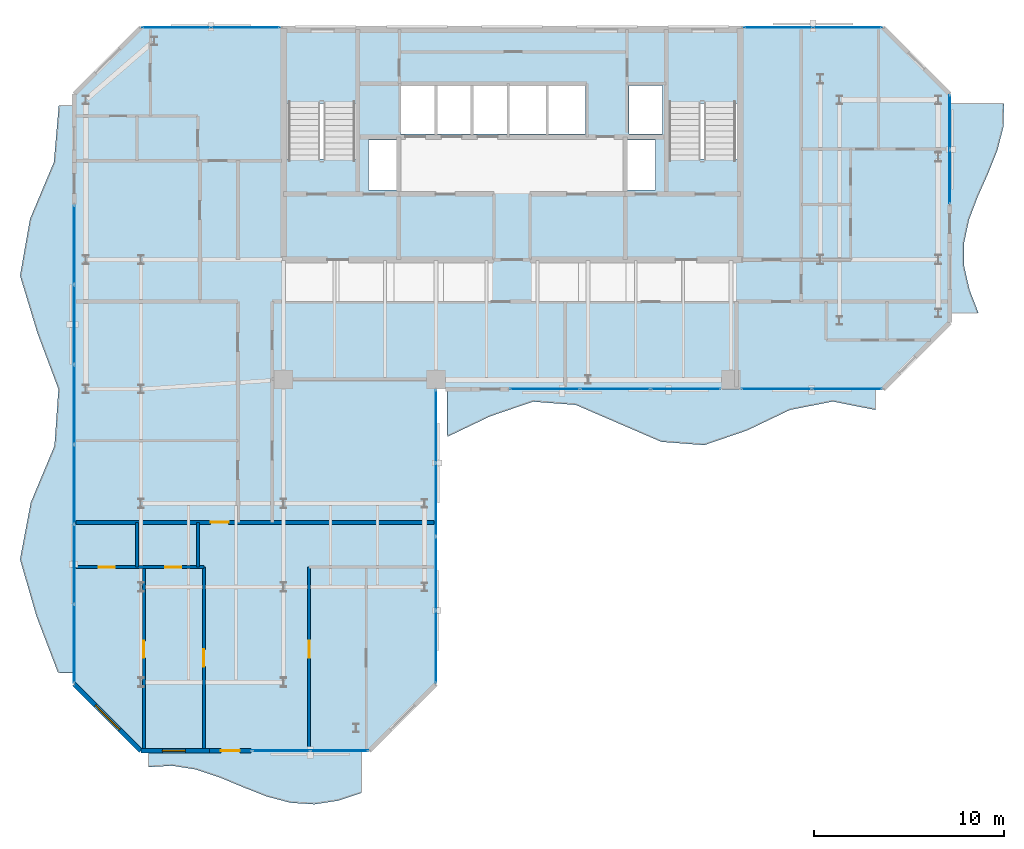
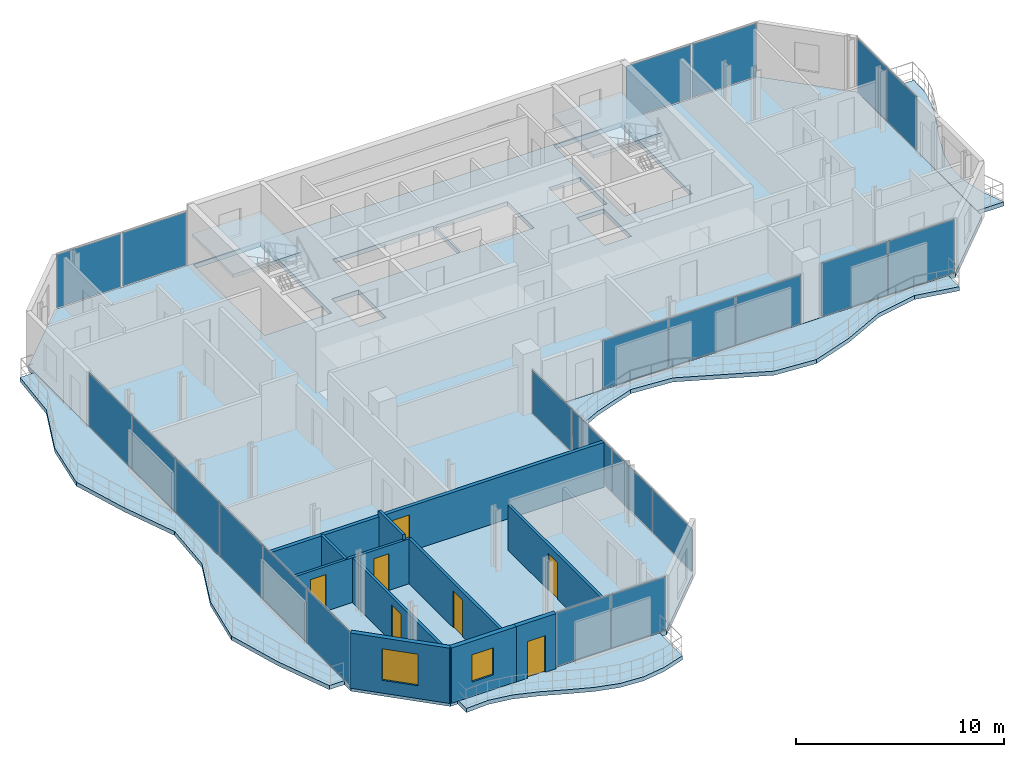
# One storey, part 17 of 23: 23 plates, 10 walls, 7 doors, 7 slabs, 2 windows, 9 openings, 10 elements without a shape of their own.
"""IFC4 building model written with IfcOpenShell, lengths in metres."""

from ifc_helpers import new_model, si_unit, direction, frame, frame_2d, origin, origin_2d, place, context, subcontext, project, spatial, polyline, rectangle, outline, extrude, material, layer, layer_set, type_object, element, fill, aggregate, save


model = new_model("IFC4")

# Units and contexts
model_context = context("Model", 3, precision=1e-05, world=origin(), true_north=direction((0.0, 1.0)))
body_context = subcontext(model_context, "Body", "Model", "MODEL_VIEW")
ifc_project = project(units=[si_unit("LENGTHUNIT", "METRE"), si_unit("AREAUNIT", "SQUARE_METRE"), si_unit("VOLUMEUNIT", "CUBIC_METRE"), si_unit("PLANEANGLEUNIT", "RADIAN"), si_unit("MASSUNIT", "GRAM", prefix="KILO")], contexts=[model_context])

# Site, building, storey
site_placement = place(None, origin())
site = spatial("IfcSite", under=ifc_project, at=site_placement, CompositionType="ELEMENT")
building_placement = place(site_placement, origin())
building = spatial("IfcBuilding", under=site, at=building_placement, Name="Catumbela Crestline Tower", CompositionType="ELEMENT")
storey_placement = place(building_placement, frame((0.0, 0.0, 204.6)))
storey = spatial("IfcBuildingStorey", under=building, at=storey_placement, Name="L53", CompositionType="ELEMENT", Elevation=204.6)

# Curtain wall, plates
ifc_material_1 = material(Name="Aluminium alloy AW-6060-T66", Category="aluminium")
ifc_layer_1 = layer(ifc_material_1, 0.18, Name="Aluminium alloy AW-6060-T66")
ifc_layer_set_1 = layer_set([ifc_layer_1], Name="Aluminium alloy AW-6060-T66")
curtain_wall_type = type_object("IfcCurtainWallType", Name="CWU-Z3", PredefinedType="USERDEFINED", material=ifc_layer_set_1)
curtain_wall_1_placement = place(storey_placement, origin())
curtain_wall_1 = element("IfcCurtainWall", 1, at=curtain_wall_1_placement, inside=storey, type_object=curtain_wall_type, Name="L53 Unitised Curtain Wall CW-L53-E0S2", ObjectType="UNITISED", PredefinedType="USERDEFINED")
ifc_material_2 = material(Name="Low-E laminated solar-control double glazing", Category="glass")
ifc_layer_2 = layer(ifc_material_2, 0.036, Name="Low-E laminated solar-control double glazing")
ifc_layer_set_2 = layer_set([ifc_layer_2], Name="Low-E laminated solar-control double glazing")
plate_type = type_object("IfcPlateType", Name="PNL-GLZ-Z3", PredefinedType="CURTAIN_PANEL", material=ifc_layer_set_2)
plate_1_placement = place(storey_placement, frame((15.8662, 5.0, 0.06), z_axis=(0.0, 0.0, 1.0), x_axis=(1.0, 0.0, 0.0)))
plate_1 = element("IfcPlate", 2, at=plate_1_placement, type_object=plate_type, Name="CWU-Z3 panel 1.1", PredefinedType="CURTAIN_PANEL", context=body_context, shape_type="SweptSolid", body=[
    extrude(rectangle(XDim=3.0025, YDim=0.034, at=origin_2d()), origin(), (0.0, 0.0, 1.0), 3.12),
])
plate_2_placement = place(storey_placement, frame((18.9338, 5.0, 0.06), z_axis=(0.0, 0.0, 1.0), x_axis=(1.0, 0.0, 0.0)))
plate_2 = element("IfcPlate", 3, at=plate_2_placement, type_object=plate_type, Name="CWU-Z3 panel 2.1", PredefinedType="CURTAIN_PANEL", context=body_context, shape_type="SweptSolid", body=[
    extrude(rectangle(XDim=3.0025, YDim=0.034, at=origin_2d()), origin(), (0.0, 0.0, 1.0), 3.12),
])
aggregate(curtain_wall_1, [plate_1, plate_2])

curtain_wall_2_placement = place(storey_placement, origin())
curtain_wall_2 = element("IfcCurtainWall", 4, at=curtain_wall_2_placement, inside=storey, type_object=curtain_wall_type, Name="L53 Unitised Curtain Wall CW-L53-E2S1", ObjectType="UNITISED", PredefinedType="USERDEFINED")
plate_3_placement = place(storey_placement, frame((24.0, 10.4538, 0.06), z_axis=(0.0, 0.0, 1.0), x_axis=(0.0, 1.0, 0.0)))
plate_3 = element("IfcPlate", 5, at=plate_3_placement, type_object=plate_type, Name="CWU-Z3 panel 1.1", PredefinedType="CURTAIN_PANEL", context=body_context, shape_type="SweptSolid", body=[
    extrude(rectangle(XDim=3.7775, YDim=0.034, at=origin_2d()), origin(), (0.0, 0.0, 1.0), 2.51),
])
plate_4_placement = place(storey_placement, frame((24.0, 14.3125, 0.06), z_axis=(0.0, 0.0, 1.0), x_axis=(0.0, 1.0, 0.0)))
plate_4 = element("IfcPlate", 6, at=plate_4_placement, type_object=plate_type, Name="CWU-Z3 panel 2.1", PredefinedType="CURTAIN_PANEL", context=body_context, shape_type="SweptSolid", body=[
    extrude(rectangle(XDim=3.81, YDim=0.034, at=origin_2d()), origin(), (0.0, 0.0, 1.0), 2.51),
])
plate_5_placement = place(storey_placement, frame((24.0, 18.1875, 0.06), z_axis=(0.0, 0.0, 1.0), x_axis=(0.0, 1.0, 0.0)))
plate_5 = element("IfcPlate", 7, at=plate_5_placement, type_object=plate_type, Name="CWU-Z3 panel 3.1", PredefinedType="CURTAIN_PANEL", context=body_context, shape_type="SweptSolid", body=[
    extrude(rectangle(XDim=3.81, YDim=0.034, at=origin_2d()), origin(), (0.0, 0.0, 1.0), 2.51),
])
plate_6_placement = place(storey_placement, frame((24.0, 22.0462, 0.06), z_axis=(0.0, 0.0, 1.0), x_axis=(0.0, 1.0, 0.0)))
plate_6 = element("IfcPlate", 8, at=plate_6_placement, type_object=plate_type, Name="CWU-Z3 panel 4.1", PredefinedType="CURTAIN_PANEL", context=body_context, shape_type="SweptSolid", body=[
    extrude(rectangle(XDim=3.7775, YDim=0.034, at=origin_2d()), origin(), (0.0, 0.0, 1.0), 2.51),
])
aggregate(curtain_wall_2, [plate_3, plate_4, plate_5, plate_6])

curtain_wall_3_placement = place(storey_placement, origin())
curtain_wall_3 = element("IfcCurtainWall", 9, at=curtain_wall_3_placement, inside=storey, type_object=curtain_wall_type, Name="L53 Unitised Curtain Wall CW-L53-E3S2", ObjectType="UNITISED", PredefinedType="USERDEFINED")
plate_7_placement = place(storey_placement, frame((29.7246, 24.0, 0.06), z_axis=(0.0, 0.0, 1.0), x_axis=(1.0, 0.0, 0.0)))
plate_7 = element("IfcPlate", 10, at=plate_7_placement, type_object=plate_type, Name="CWU-Z3 panel 1.1", PredefinedType="CURTAIN_PANEL", context=body_context, shape_type="SweptSolid", body=[
    extrude(rectangle(XDim=3.6192, YDim=0.034, at=origin_2d()), origin(), (0.0, 0.0, 1.0), 2.83),
])
plate_8_placement = place(storey_placement, frame((33.425, 24.0, 0.06), z_axis=(0.0, 0.0, 1.0), x_axis=(1.0, 0.0, 0.0)))
plate_8 = element("IfcPlate", 11, at=plate_8_placement, type_object=plate_type, Name="CWU-Z3 panel 2.1", PredefinedType="CURTAIN_PANEL", context=body_context, shape_type="SweptSolid", body=[
    extrude(rectangle(XDim=3.6517, YDim=0.034, at=origin_2d()), origin(), (0.0, 0.0, 1.0), 2.83),
])
plate_9_placement = place(storey_placement, frame((37.1254, 24.0, 0.06), z_axis=(0.0, 0.0, 1.0), x_axis=(1.0, 0.0, 0.0)))
plate_9 = element("IfcPlate", 12, at=plate_9_placement, type_object=plate_type, Name="CWU-Z3 panel 3.1", PredefinedType="CURTAIN_PANEL", context=body_context, shape_type="SweptSolid", body=[
    extrude(rectangle(XDim=3.6192, YDim=0.034, at=origin_2d()), origin(), (0.0, 0.0, 1.0), 2.83),
])
aggregate(curtain_wall_3, [plate_7, plate_8, plate_9])

curtain_wall_4_placement = place(storey_placement, origin())
curtain_wall_4 = element("IfcCurtainWall", 13, at=curtain_wall_4_placement, inside=storey, type_object=curtain_wall_type, Name="L53 Unitised Curtain Wall CW-L53-E3S3", ObjectType="UNITISED", PredefinedType="USERDEFINED")
plate_10_placement = place(storey_placement, frame((41.8912, 24.0, 0.06), z_axis=(0.0, 0.0, 1.0), x_axis=(1.0, 0.0, 0.0)))
plate_10 = element("IfcPlate", 14, at=plate_10_placement, type_object=plate_type, Name="CWU-Z3 panel 1.1", PredefinedType="CURTAIN_PANEL", context=body_context, shape_type="SweptSolid", body=[
    extrude(rectangle(XDim=3.6525, YDim=0.034, at=origin_2d()), origin(), (0.0, 0.0, 1.0), 3.12),
])
plate_11_placement = place(storey_placement, frame((45.6088, 24.0, 0.06), z_axis=(0.0, 0.0, 1.0), x_axis=(1.0, 0.0, 0.0)))
plate_11 = element("IfcPlate", 15, at=plate_11_placement, type_object=plate_type, Name="CWU-Z3 panel 2.1", PredefinedType="CURTAIN_PANEL", context=body_context, shape_type="SweptSolid", body=[
    extrude(rectangle(XDim=3.6525, YDim=0.034, at=origin_2d()), origin(), (0.0, 0.0, 1.0), 3.12),
])
aggregate(curtain_wall_4, [plate_10, plate_11])

curtain_wall_5_placement = place(storey_placement, origin())
curtain_wall_5 = element("IfcCurtainWall", 16, at=curtain_wall_5_placement, inside=storey, type_object=curtain_wall_type, Name="L53 Unitised Curtain Wall CW-L53-E5S2", ObjectType="UNITISED", PredefinedType="USERDEFINED")
plate_12_placement = place(storey_placement, frame((51.0, 35.1662, 0.06), z_axis=(0.0, 0.0, 1.0), x_axis=(0.0, 1.0, 0.0)))
plate_12 = element("IfcPlate", 17, at=plate_12_placement, type_object=plate_type, Name="CWU-Z3 panel 1.1", PredefinedType="CURTAIN_PANEL", context=body_context, shape_type="SweptSolid", body=[
    extrude(rectangle(XDim=2.8025, YDim=0.034, at=origin_2d()), origin(), (0.0, 0.0, 1.0), 3.12),
])
plate_13_placement = place(storey_placement, frame((51.0, 38.0338, 0.06), z_axis=(0.0, 0.0, 1.0), x_axis=(0.0, 1.0, 0.0)))
plate_13 = element("IfcPlate", 18, at=plate_13_placement, type_object=plate_type, Name="CWU-Z3 panel 2.1", PredefinedType="CURTAIN_PANEL", context=body_context, shape_type="SweptSolid", body=[
    extrude(rectangle(XDim=2.8025, YDim=0.034, at=origin_2d()), origin(), (0.0, 0.0, 1.0), 3.12),
])
aggregate(curtain_wall_5, [plate_12, plate_13])

curtain_wall_6_placement = place(storey_placement, origin())
curtain_wall_6 = element("IfcCurtainWall", 19, at=curtain_wall_6_placement, inside=storey, type_object=curtain_wall_type, Name="L53 Unitised Curtain Wall CW-L53-E7S1", ObjectType="UNITISED", PredefinedType="USERDEFINED")
plate_14_placement = place(storey_placement, frame((45.6438, 43.0, 0.06), z_axis=(0.0, 0.0, 1.0), x_axis=(-1.0, 0.0, 0.0)))
plate_14 = element("IfcPlate", 20, at=plate_14_placement, type_object=plate_type, Name="CWU-Z3 panel 1.1", PredefinedType="CURTAIN_PANEL", context=body_context, shape_type="SweptSolid", body=[
    extrude(rectangle(XDim=3.5825, YDim=0.034, at=origin_2d()), origin(), (0.0, 0.0, 1.0), 3.12),
])
plate_15_placement = place(storey_placement, frame((41.9963, 43.0, 0.06), z_axis=(0.0, 0.0, 1.0), x_axis=(-1.0, 0.0, 0.0)))
plate_15 = element("IfcPlate", 21, at=plate_15_placement, type_object=plate_type, Name="CWU-Z3 panel 2.1", PredefinedType="CURTAIN_PANEL", context=body_context, shape_type="SweptSolid", body=[
    extrude(rectangle(XDim=3.5825, YDim=0.034, at=origin_2d()), origin(), (0.0, 0.0, 1.0), 3.12),
])
aggregate(curtain_wall_6, [plate_14, plate_15])

curtain_wall_7_placement = place(storey_placement, origin())
curtain_wall_7 = element("IfcCurtainWall", 22, at=curtain_wall_7_placement, inside=storey, type_object=curtain_wall_type, Name="L53 Unitised Curtain Wall CW-L53-E7S2", ObjectType="UNITISED", PredefinedType="USERDEFINED")
plate_16_placement = place(storey_placement, frame((14.0038, 43.0, 0.06), z_axis=(0.0, 0.0, 1.0), x_axis=(-1.0, 0.0, 0.0)))
plate_16 = element("IfcPlate", 23, at=plate_16_placement, type_object=plate_type, Name="CWU-Z3 panel 1.1", PredefinedType="CURTAIN_PANEL", context=body_context, shape_type="SweptSolid", body=[
    extrude(rectangle(XDim=3.5825, YDim=0.034, at=origin_2d()), origin(), (0.0, 0.0, 1.0), 3.12),
])
plate_17_placement = place(storey_placement, frame((10.3562, 43.0, 0.06), z_axis=(0.0, 0.0, 1.0), x_axis=(-1.0, 0.0, 0.0)))
plate_17 = element("IfcPlate", 24, at=plate_17_placement, type_object=plate_type, Name="CWU-Z3 panel 2.1", PredefinedType="CURTAIN_PANEL", context=body_context, shape_type="SweptSolid", body=[
    extrude(rectangle(XDim=3.5825, YDim=0.034, at=origin_2d()), origin(), (0.0, 0.0, 1.0), 3.12),
])
aggregate(curtain_wall_7, [plate_16, plate_17])

curtain_wall_8_placement = place(storey_placement, origin())
curtain_wall_8 = element("IfcCurtainWall", 25, at=curtain_wall_8_placement, inside=storey, type_object=curtain_wall_type, Name="L53 Unitised Curtain Wall CW-L53-E9S2", ObjectType="UNITISED", PredefinedType="USERDEFINED")
plate_18_placement = place(storey_placement, frame((5.0, 31.5838, 0.06), z_axis=(0.0, 0.0, 1.0), x_axis=(0.0, -1.0, 0.0)))
plate_18 = element("IfcPlate", 26, at=plate_18_placement, type_object=plate_type, Name="CWU-Z3 panel 1.1", PredefinedType="CURTAIN_PANEL", context=body_context, shape_type="SweptSolid", body=[
    extrude(rectangle(XDim=4.1025, YDim=0.034, at=origin_2d()), origin(), (0.0, 0.0, 1.0), 3.12),
])
plate_19_placement = place(storey_placement, frame((5.0, 27.4, 0.06), z_axis=(0.0, 0.0, 1.0), x_axis=(0.0, -1.0, 0.0)))
plate_19 = element("IfcPlate", 27, at=plate_19_placement, type_object=plate_type, Name="CWU-Z3 panel 2.1", PredefinedType="CURTAIN_PANEL", context=body_context, shape_type="SweptSolid", body=[
    extrude(rectangle(XDim=4.135, YDim=0.034, at=origin_2d()), origin(), (0.0, 0.0, 1.0), 3.12),
])
plate_20_placement = place(storey_placement, frame((5.0, 23.2, 0.06), z_axis=(0.0, 0.0, 1.0), x_axis=(0.0, -1.0, 0.0)))
plate_20 = element("IfcPlate", 28, at=plate_20_placement, type_object=plate_type, Name="CWU-Z3 panel 3.1", PredefinedType="CURTAIN_PANEL", context=body_context, shape_type="SweptSolid", body=[
    extrude(rectangle(XDim=4.135, YDim=0.034, at=origin_2d()), origin(), (0.0, 0.0, 1.0), 3.12),
])
plate_21_placement = place(storey_placement, frame((5.0, 19.0, 0.06), z_axis=(0.0, 0.0, 1.0), x_axis=(0.0, -1.0, 0.0)))
plate_21 = element("IfcPlate", 29, at=plate_21_placement, type_object=plate_type, Name="CWU-Z3 panel 4.1", PredefinedType="CURTAIN_PANEL", context=body_context, shape_type="SweptSolid", body=[
    extrude(rectangle(XDim=4.135, YDim=0.034, at=origin_2d()), origin(), (0.0, 0.0, 1.0), 3.12),
])
plate_22_placement = place(storey_placement, frame((5.0, 14.8, 0.06), z_axis=(0.0, 0.0, 1.0), x_axis=(0.0, -1.0, 0.0)))
plate_22 = element("IfcPlate", 30, at=plate_22_placement, type_object=plate_type, Name="CWU-Z3 panel 5.1", PredefinedType="CURTAIN_PANEL", context=body_context, shape_type="SweptSolid", body=[
    extrude(rectangle(XDim=4.135, YDim=0.034, at=origin_2d()), origin(), (0.0, 0.0, 1.0), 3.12),
])
plate_23_placement = place(storey_placement, frame((5.0, 10.6163, 0.06), z_axis=(0.0, 0.0, 1.0), x_axis=(0.0, -1.0, 0.0)))
plate_23 = element("IfcPlate", 31, at=plate_23_placement, type_object=plate_type, Name="CWU-Z3 panel 6.1", PredefinedType="CURTAIN_PANEL", context=body_context, shape_type="SweptSolid", body=[
    extrude(rectangle(XDim=4.1025, YDim=0.034, at=origin_2d()), origin(), (0.0, 0.0, 1.0), 3.12),
])
aggregate(curtain_wall_8, [plate_18, plate_19, plate_20, plate_21, plate_22, plate_23])

# Stair, slab
ifc_material_3 = material(Name="Concrete C45/55", Category="concrete")
stair_type = type_object("IfcStairType", Name="ST-DLG", PredefinedType="HALF_TURN_STAIR", material=ifc_material_3)
stair_1_placement = place(storey_placement, origin())
stair_1 = element("IfcStair", 32, at=stair_1_placement, inside=storey, type_object=stair_type, Name="L53 West Core Pressurised Exit Stair ST-01", PredefinedType="HALF_TURN_STAIR")
ifc_layer_3 = layer(ifc_material_3, 0.2, Name="Concrete C45/55")
ifc_layer_set_3 = layer_set([ifc_layer_3], Name="Concrete C45/55")
slab_type_1 = type_object("IfcSlabType", Name="SL-LND", PredefinedType="LANDING", material=ifc_layer_set_3)
slab_1_placement = place(storey_placement, frame((0.0, 0.0, 1.6)))
slab_1 = element("IfcSlab", 33, at=slab_1_placement, type_object=slab_type_1, Name="ST-01 landing 1", PredefinedType="LANDING", context=body_context, shape_type="SweptSolid", body=[
    extrude(outline(polyline([(19.91, 39.02), (19.91, 42.96), (16.09, 42.96), (16.09, 39.02), (19.91, 39.02)])), origin(), (0.0, 0.0, 1.0), 0.2),
])
aggregate(stair_1, [slab_1])

stair_2_placement = place(storey_placement, origin())
stair_2 = element("IfcStair", 34, at=stair_2_placement, inside=storey, type_object=stair_type, Name="L53 East Core Pressurised Exit Stair ST-02", PredefinedType="HALF_TURN_STAIR")
slab_2_placement = place(storey_placement, frame((0.0, 0.0, 1.6)))
slab_2 = element("IfcSlab", 35, at=slab_2_placement, type_object=slab_type_1, Name="ST-02 landing 1", PredefinedType="LANDING", context=body_context, shape_type="SweptSolid", body=[
    extrude(outline(polyline([(39.91, 39.02), (39.91, 42.96), (36.09, 42.96), (36.09, 39.02), (39.91, 39.02)])), origin(), (0.0, 0.0, 1.0), 0.2),
])
aggregate(stair_2, [slab_2])

# Slabs
ifc_layer_4 = layer(ifc_material_3, 0.26, Name="Concrete C45/55")
ifc_layer_set_4 = layer_set([ifc_layer_4], Name="Concrete C45/55")
slab_type_2 = type_object("IfcSlabType", Name="SL-260", PredefinedType="FLOOR", material=ifc_layer_set_4)
slab_3_placement = place(storey_placement, frame((0.0, 0.0, -0.26)))
element("IfcSlab", 36, at=slab_3_placement, inside=storey, type_object=slab_type_2, Name="L53 Structural Floor Slab", PredefinedType="FLOOR", context=body_context, shape_type="SweptSolid", body=[
    extrude(outline(polyline([(8.5, 5.0), (20.5, 5.0), (24.0, 8.5), (24.0, 24.0), (47.5, 24.0), (51.0, 27.5), (51.0, 39.5), (47.5, 43.0), (8.5, 43.0), (5.0, 39.5), (5.0, 8.5), (8.5, 5.0)]), holes=[polyline([(16.13, 36.08), (19.87, 36.08), (19.87, 42.92), (16.13, 42.92), (16.13, 36.08)]), polyline([(36.13, 36.08), (39.87, 36.08), (39.87, 42.92), (36.13, 42.92), (36.13, 36.08)]), polyline([(22.15, 37.4), (27.75, 37.4), (27.75, 39.95), (22.15, 39.95), (22.15, 37.4)]), polyline([(27.85, 37.4), (31.85, 37.4), (31.85, 39.95), (27.85, 39.95), (27.85, 37.4)]), polyline([(20.45, 34.45), (21.95, 34.45), (21.95, 37.1), (20.45, 37.1), (20.45, 34.45)]), polyline([(34.05, 34.45), (35.55, 34.45), (35.55, 37.1), (34.05, 37.1), (34.05, 34.45)]), polyline([(34.15, 37.4), (35.9, 37.4), (35.9, 39.95), (34.15, 39.95), (34.15, 37.4)])]), origin(), (0.0, 0.0, 1.0), 0.26),
])
ifc_layer_5 = layer(ifc_material_3, 0.24, Name="Concrete C45/55")
ifc_layer_set_5 = layer_set([ifc_layer_5], Name="Concrete C45/55")
slab_type_3 = type_object("IfcSlabType", Name="SB-240W", PredefinedType="USERDEFINED", material=ifc_layer_set_5)
slab_4_placement = place(storey_placement, frame((0.0, 0.0, -0.24)))
element("IfcSlab", 37, at=slab_4_placement, inside=storey, type_object=slab_type_3, Name="L53 Cantilevered Wave Balcony Slab SPINE-S", ObjectType="BALCONY", PredefinedType="USERDEFINED", context=body_context, shape_type="SweptSolid", body=[
    extrude(outline(polyline([(24.6, 21.4947), (26.85, 22.5708), (29.1, 23.3413), (31.35, 23.1708), (33.6, 22.2), (35.85, 21.2292), (38.1, 21.0587), (40.35, 21.8292), (42.6, 22.9053), (44.85, 23.35), (47.1, 22.9053), (47.1, 23.99), (24.6, 23.99), (24.6, 21.4947)])), origin(), (0.0, 0.0, 1.0), 0.24),
])
slab_5_placement = place(storey_placement, frame((0.0, 0.0, -0.24)))
element("IfcSlab", 38, at=slab_5_placement, inside=storey, type_object=slab_type_3, Name="L53 Cantilevered Wave Balcony Slab SPINE-E", ObjectType="BALCONY", PredefinedType="USERDEFINED", context=body_context, shape_type="SweptSolid", body=[
    extrude(outline(polyline([(51.01, 28.0), (52.5102, 28.0), (52.0377, 29.2222), (51.7606, 30.4444), (51.7501, 31.6667), (52.0088, 32.8889), (52.4704, 34.1111), (53.0165, 35.3333), (53.5071, 36.5556), (53.8164, 37.7778), (53.85, 39.0), (51.01, 39.0), (51.01, 28.0)])), origin(), (0.0, 0.0, 1.0), 0.24),
])
slab_6_placement = place(storey_placement, frame((0.0, 0.0, -0.24)))
element("IfcSlab", 39, at=slab_6_placement, inside=storey, type_object=slab_type_3, Name="L53 Cantilevered Wave Balcony Slab WING-S", ObjectType="BALCONY", PredefinedType="USERDEFINED", context=body_context, shape_type="SweptSolid", body=[
    extrude(outline(polyline([(8.9, 4.1398), (10.1444, 4.2124), (11.3889, 4.016), (12.6333, 3.6029), (13.8778, 3.0828), (15.1222, 2.5938), (16.3667, 2.2658), (17.6111, 2.186), (18.8556, 2.3755), (20.1, 2.784), (20.1, 4.99), (8.9, 4.99), (8.9, 4.1398)])), origin(), (0.0, 0.0, 1.0), 0.24),
])
slab_7_placement = place(storey_placement, frame((0.0, 0.0, -0.24)))
element("IfcSlab", 40, at=slab_7_placement, inside=storey, type_object=slab_type_3, Name="L53 Cantilevered Wave Balcony Slab WEST", ObjectType="BALCONY", PredefinedType="USERDEFINED", context=body_context, shape_type="SweptSolid", body=[
    extrude(outline(polyline([(4.99, 38.9), (4.1874, 38.9), (3.9279, 35.92), (2.6741, 32.94), (2.15, 29.96), (3.0531, 26.98), (4.1682, 24.0), (3.9607, 21.02), (2.714, 18.04), (2.15, 15.06), (3.0084, 12.08), (4.1473, 9.1), (4.99, 9.1), (4.99, 38.9)])), origin(), (0.0, 0.0, 1.0), 0.24),
])

# Wall, opening, door
ifc_material_4 = material(Name="Angolan grey-ochre granite", Category="masonry")
ifc_layer_6 = layer(ifc_material_4, 0.25, Name="Angolan grey-ochre granite")
ifc_layer_set_6 = layer_set([ifc_layer_6], Name="Angolan grey-ochre granite")
wall_type_1 = type_object("IfcWallType", Name="WE-250", PredefinedType="STANDARD", material=ifc_layer_set_6)
wall_1_placement = place(storey_placement, frame((12.1, 5.0, 0.0), z_axis=(0.0, 0.0, 1.0), x_axis=(1.0, 0.0, 0.0)))
wall_1 = element("IfcWall", 41, at=wall_1_placement, inside=storey, type_object=wall_type_1, Name="L53 Exterior Threshold Portal Wall DR-L53-WBAL-3", PredefinedType="STANDARD", context=body_context, shape_type="SweptSolid", body=[
    extrude(rectangle(XDim=2.2, YDim=0.25, at=frame_2d((1.1, 0.0))), origin(), (0.0, 0.0, 1.0), 3.24),
])
opening_1_placement = place(wall_1_placement, frame((0.6, 0.0, 0.0)))
opening_1 = element("IfcOpeningElement", 42, at=opening_1_placement, cuts=wall_1, Name="Opening DB-L53-3", PredefinedType="OPENING", context=body_context, shape_type="SweptSolid", body=[
    extrude(rectangle(XDim=1.0, YDim=2.15, at=frame_2d((0.5, 1.075))), frame((0.0, 0.135, 0.0), z_axis=(0.0, -1.0, 0.0), x_axis=(1.0, 0.0, 0.0)), (0.0, 0.0, 1.0), 0.27),
])
door_type_1 = type_object("IfcDoorType", Name="DB-1000", OperationType="NOTDEFINED", PredefinedType="DOOR", material=ifc_material_1)
door_1_placement = place(opening_1_placement, origin())
door_1 = element("IfcDoor", 43, at=door_1_placement, inside=storey, type_object=door_type_1, Name="L53 Wave Balcony Terrace Door 3", OperationType="SINGLE_SWING_LEFT", OverallHeight=2.15, OverallWidth=1.0, PredefinedType="DOOR", context=body_context, shape_type="SweptSolid", body=[
    extrude(rectangle(XDim=1.0, YDim=2.15, at=frame_2d((0.5, 1.075))), frame((0.0, 0.025, 0.0), z_axis=(0.0, -1.0, 0.0), x_axis=(1.0, 0.0, 0.0)), (0.0, 0.0, 1.0), 0.05),
])
fill(opening_1, door_1)

# Wall, opening, window
wall_2_placement = place(storey_placement, frame((8.5, 5.0, 0.0), z_axis=(0.0, 0.0, 1.0), x_axis=(1.0, 0.0, 0.0)))
wall_2 = element("IfcWall", 44, at=wall_2_placement, inside=storey, type_object=wall_type_1, Name="L53 Granite Punched Window Wall 0-1", PredefinedType="STANDARD", context=body_context, shape_type="SweptSolid", body=[
    extrude(rectangle(XDim=3.6, YDim=0.25, at=frame_2d((1.8, 0.0))), origin(), (0.0, 0.0, 1.0), 3.24),
])
opening_2_placement = place(wall_2_placement, frame((1.135, 0.0, 0.85)))
opening_2 = element("IfcOpeningElement", 45, at=opening_2_placement, cuts=wall_2, Name="Opening WN-02", PredefinedType="OPENING", context=body_context, shape_type="SweptSolid", body=[
    extrude(rectangle(XDim=1.2, YDim=1.6, at=frame_2d((0.6, 0.8))), frame((0.0, 0.135, 0.0), z_axis=(0.0, -1.0, 0.0), x_axis=(1.0, 0.0, 0.0)), (0.0, 0.0, 1.0), 0.27),
])
window_type_1 = type_object("IfcWindowType", Name="WO-1200", PartitioningType="SINGLE_PANEL", PredefinedType="WINDOW", material=ifc_material_2)
window_1_placement = place(opening_2_placement, origin())
window_1 = element("IfcWindow", 46, at=window_1_placement, inside=storey, type_object=window_type_1, Name="L53 Facade Vision Window 356", OverallHeight=1.6, OverallWidth=1.2, PartitioningType="SINGLE_PANEL", PredefinedType="WINDOW", context=body_context, shape_type="SweptSolid", body=[
    extrude(rectangle(XDim=1.2, YDim=1.6, at=frame_2d((0.6, 0.8))), frame((0.0, 0.03, 0.0), z_axis=(0.0, -1.0, 0.0), x_axis=(1.0, 0.0, 0.0)), (0.0, 0.0, 1.0), 0.06),
])
fill(opening_2, window_1)

wall_3_placement = place(storey_placement, frame((5.0, 8.5, 0.0), z_axis=(0.0, 0.0, 1.0), x_axis=(0.707106781187, -0.707106781187, 0.0)))
wall_3 = element("IfcWall", 47, at=wall_3_placement, inside=storey, type_object=wall_type_1, Name="L53 Granite Punched Window Wall 10-1", PredefinedType="STANDARD", context=body_context, shape_type="SweptSolid", body=[
    extrude(rectangle(XDim=4.9497, YDim=0.25, at=frame_2d((2.4748, 0.0))), origin(), (0.0, 0.0, 1.0), 3.24),
])
opening_3_placement = place(wall_3_placement, frame((1.5749, 0.0, 0.75)))
opening_3 = element("IfcOpeningElement", 48, at=opening_3_placement, cuts=wall_3, Name="Opening WN-01", PredefinedType="OPENING", context=body_context, shape_type="SweptSolid", body=[
    extrude(rectangle(XDim=1.8, YDim=1.85, at=frame_2d((0.9, 0.925))), frame((0.0, 0.135, 0.0), z_axis=(0.0, -1.0, 0.0), x_axis=(1.0, 0.0, 0.0)), (0.0, 0.0, 1.0), 0.27),
])
window_type_2 = type_object("IfcWindowType", Name="WF-1800", PartitioningType="SINGLE_PANEL", PredefinedType="WINDOW", material=ifc_material_2)
window_2_placement = place(opening_3_placement, origin())
window_2 = element("IfcWindow", 49, at=window_2_placement, inside=storey, type_object=window_type_2, Name="L53 Facade Vision Window 363", OverallHeight=1.85, OverallWidth=1.8, PartitioningType="SINGLE_PANEL", PredefinedType="WINDOW", context=body_context, shape_type="SweptSolid", body=[
    extrude(rectangle(XDim=1.8, YDim=1.85, at=frame_2d((0.9, 0.925))), frame((0.0, 0.03, 0.0), z_axis=(0.0, -1.0, 0.0), x_axis=(1.0, 0.0, 0.0)), (0.0, 0.0, 1.0), 0.06),
])
fill(opening_3, window_2)

# Walls
ifc_material_5 = material(Name="Acoustic gypsum and mineral-wool partition")
ifc_layer_7 = layer(ifc_material_5, 0.15, Name="Acoustic gypsum and mineral-wool partition")
ifc_layer_set_7 = layer_set([ifc_layer_7], Name="Acoustic gypsum and mineral-wool partition")
wall_type_2 = type_object("IfcWallType", Name="WP-150", PredefinedType="PARTITIONING", material=ifc_layer_set_7)
wall_4_placement = place(storey_placement, frame((11.5, 14.65, 0.0), z_axis=(0.0, 0.0, 1.0), x_axis=(0.0, 1.0, 0.0)))
element("IfcWall", 50, at=wall_4_placement, inside=storey, type_object=wall_type_2, Name="L53 Interior Partition PW-L53-SH1-KBE", PredefinedType="PARTITIONING", context=body_context, shape_type="SweptSolid", body=[
    extrude(rectangle(XDim=2.35, YDim=0.15, at=frame_2d((1.175, 0.0))), origin(), (0.0, 0.0, 1.0), 2.93),
])
wall_5_placement = place(storey_placement, frame((8.3, 14.65, 0.0), z_axis=(0.0, 0.0, 1.0), x_axis=(0.0, 1.0, 0.0)))
element("IfcWall", 51, at=wall_5_placement, inside=storey, type_object=wall_type_2, Name="L53 Interior Partition PW-L53-SH1-KBM", PredefinedType="PARTITIONING", context=body_context, shape_type="SweptSolid", body=[
    extrude(rectangle(XDim=2.35, YDim=0.15, at=frame_2d((1.175, 0.0))), origin(), (0.0, 0.0, 1.0), 2.63),
])

# Wall, openings, doors
wall_6_placement = place(storey_placement, frame((5.1, 14.65, 0.0), z_axis=(0.0, 0.0, 1.0), x_axis=(1.0, 0.0, 0.0)))
wall_6 = element("IfcWall", 52, at=wall_6_placement, inside=storey, type_object=wall_type_2, Name="L53 Interior Partition PW-L53-SH1-KBD1", PredefinedType="PARTITIONING", context=body_context, shape_type="SweptSolid", body=[
    extrude(rectangle(XDim=6.71, YDim=0.15, at=frame_2d((3.355, 0.0))), origin(), (0.0, 0.0, 1.0), 2.63),
])
opening_4_placement = place(wall_6_placement, frame((1.175, 0.0, 0.0)))
opening_4 = element("IfcOpeningElement", 53, at=opening_4_placement, cuts=wall_6, Name="Opening DI-085", PredefinedType="OPENING", context=body_context, shape_type="SweptSolid", body=[
    extrude(rectangle(XDim=0.85, YDim=2.15, at=frame_2d((0.425, 1.075))), frame((0.0, 0.085, 0.0), z_axis=(0.0, -1.0, 0.0), x_axis=(1.0, 0.0, 0.0)), (0.0, 0.0, 1.0), 0.17),
])
opening_5_placement = place(wall_6_placement, frame((4.6795, 0.0, 0.0)))
opening_5 = element("IfcOpeningElement", 54, at=opening_5_placement, cuts=wall_6, Name="Opening DI-085", PredefinedType="OPENING", context=body_context, shape_type="SweptSolid", body=[
    extrude(rectangle(XDim=0.85, YDim=2.15, at=frame_2d((0.425, 1.075))), frame((0.0, 0.085, 0.0), z_axis=(0.0, -1.0, 0.0), x_axis=(1.0, 0.0, 0.0)), (0.0, 0.0, 1.0), 0.17),
])
door_type_2 = type_object("IfcDoorType", Name="DI-085", OperationType="NOTDEFINED", PredefinedType="DOOR", material=ifc_material_1)
door_2_placement = place(opening_4_placement, origin())
door_2 = element("IfcDoor", 55, at=door_2_placement, inside=storey, type_object=door_type_2, Name="L53 Interior Door DR-L53-SH1-KIT", OperationType="SINGLE_SWING_LEFT", OverallHeight=2.15, OverallWidth=0.85, PredefinedType="DOOR", context=body_context, shape_type="SweptSolid", body=[
    extrude(rectangle(XDim=0.85, YDim=2.15, at=frame_2d((0.425, 1.075))), frame((0.0, 0.025, 0.0), z_axis=(0.0, -1.0, 0.0), x_axis=(1.0, 0.0, 0.0)), (0.0, 0.0, 1.0), 0.05),
])
fill(opening_4, door_2)
door_3_placement = place(opening_5_placement, origin())
door_3 = element("IfcDoor", 56, at=door_3_placement, inside=storey, type_object=door_type_2, Name="L53 Interior Door DR-L53-SH1-BTH", OperationType="SINGLE_SWING_RIGHT", OverallHeight=2.15, OverallWidth=0.85, PredefinedType="DOOR", context=body_context, shape_type="SweptSolid", body=[
    extrude(rectangle(XDim=0.85, YDim=2.15, at=frame_2d((0.425, 1.075))), frame((0.0, 0.025, 0.0), z_axis=(0.0, -1.0, 0.0), x_axis=(1.0, 0.0, 0.0)), (0.0, 0.0, 1.0), 0.05),
])
fill(opening_5, door_3)

# Wall, opening, door
wall_7_placement = place(storey_placement, frame((8.66, 5.1, 0.0), z_axis=(0.0, 0.0, 1.0), x_axis=(0.0, 1.0, 0.0)))
wall_7 = element("IfcWall", 57, at=wall_7_placement, inside=storey, type_object=wall_type_2, Name="L53 Interior Partition PW-L53-SH1-BDL", PredefinedType="PARTITIONING", context=body_context, shape_type="SweptSolid", body=[
    extrude(rectangle(XDim=9.55, YDim=0.15, at=frame_2d((4.775, 0.0))), origin(), (0.0, 0.0, 1.0), 2.63),
])
opening_6_placement = place(wall_7_placement, frame((4.7789, 0.0, 0.0)))
opening_6 = element("IfcOpeningElement", 58, at=opening_6_placement, cuts=wall_7, Name="Opening DI-090", PredefinedType="OPENING", context=body_context, shape_type="SweptSolid", body=[
    extrude(rectangle(XDim=0.9, YDim=2.15, at=frame_2d((0.45, 1.075))), frame((0.0, 0.085, 0.0), z_axis=(0.0, -1.0, 0.0), x_axis=(1.0, 0.0, 0.0)), (0.0, 0.0, 1.0), 0.17),
])
door_type_3 = type_object("IfcDoorType", Name="DI-090", OperationType="NOTDEFINED", PredefinedType="DOOR", material=ifc_material_1)
door_4_placement = place(opening_6_placement, origin())
door_4 = element("IfcDoor", 59, at=door_4_placement, inside=storey, type_object=door_type_3, Name="L53 Interior Door DR-L53-SH1-BD1", OperationType="SINGLE_SWING_LEFT", OverallHeight=2.15, OverallWidth=0.9, PredefinedType="DOOR", context=body_context, shape_type="SweptSolid", body=[
    extrude(rectangle(XDim=0.9, YDim=2.15, at=frame_2d((0.45, 1.075))), frame((0.0, 0.025, 0.0), z_axis=(0.0, -1.0, 0.0), x_axis=(1.0, 0.0, 0.0)), (0.0, 0.0, 1.0), 0.05),
])
fill(opening_6, door_4)

wall_8_placement = place(storey_placement, frame((17.34, 5.1, 0.0), z_axis=(0.0, 0.0, 1.0), x_axis=(0.0, 1.0, 0.0)))
wall_8 = element("IfcWall", 60, at=wall_8_placement, inside=storey, type_object=wall_type_2, Name="L53 Interior Partition PW-L53-SH1-STW", PredefinedType="PARTITIONING", context=body_context, shape_type="SweptSolid", body=[
    extrude(rectangle(XDim=9.55, YDim=0.15, at=frame_2d((4.775, 0.0))), origin(), (0.0, 0.0, 1.0), 2.63),
])
opening_7_placement = place(wall_8_placement, frame((4.7789, 0.0, 0.0)))
opening_7 = element("IfcOpeningElement", 61, at=opening_7_placement, cuts=wall_8, Name="Opening DI-090", PredefinedType="OPENING", context=body_context, shape_type="SweptSolid", body=[
    extrude(rectangle(XDim=0.9, YDim=2.15, at=frame_2d((0.45, 1.075))), frame((0.0, 0.085, 0.0), z_axis=(0.0, -1.0, 0.0), x_axis=(1.0, 0.0, 0.0)), (0.0, 0.0, 1.0), 0.17),
])
door_5_placement = place(opening_7_placement, origin())
door_5 = element("IfcDoor", 62, at=door_5_placement, inside=storey, type_object=door_type_3, Name="L53 Interior Door DR-L53-SH1-STDY", OperationType="SINGLE_SWING_RIGHT", OverallHeight=2.15, OverallWidth=0.9, PredefinedType="DOOR", context=body_context, shape_type="SweptSolid", body=[
    extrude(rectangle(XDim=0.9, YDim=2.15, at=frame_2d((0.45, 1.075))), frame((0.0, 0.025, 0.0), z_axis=(0.0, -1.0, 0.0), x_axis=(1.0, 0.0, 0.0)), (0.0, 0.0, 1.0), 0.05),
])
fill(opening_7, door_5)

wall_9_placement = place(storey_placement, frame((11.81, 5.1, 0.0), z_axis=(0.0, 0.0, 1.0), x_axis=(0.0, 1.0, 0.0)))
wall_9 = element("IfcWall", 63, at=wall_9_placement, inside=storey, type_object=wall_type_2, Name="L53 Interior Partition PW-L53-SH1-DNW", PredefinedType="PARTITIONING", context=body_context, shape_type="SweptSolid", body=[
    extrude(rectangle(XDim=9.55, YDim=0.15, at=frame_2d((4.775, 0.0))), origin(), (0.0, 0.0, 1.0), 2.63),
])
opening_8_placement = place(wall_9_placement, frame((4.325, 0.0, 0.0)))
opening_8 = element("IfcOpeningElement", 64, at=opening_8_placement, cuts=wall_9, Name="Opening DI-090", PredefinedType="OPENING", context=body_context, shape_type="SweptSolid", body=[
    extrude(rectangle(XDim=0.9, YDim=2.15, at=frame_2d((0.45, 1.075))), frame((0.0, 0.085, 0.0), z_axis=(0.0, -1.0, 0.0), x_axis=(1.0, 0.0, 0.0)), (0.0, 0.0, 1.0), 0.17),
])
door_6_placement = place(opening_8_placement, origin())
door_6 = element("IfcDoor", 65, at=door_6_placement, inside=storey, type_object=door_type_3, Name="L53 Interior Door DR-L53-SH1-FDIN", OperationType="SINGLE_SWING_LEFT", OverallHeight=2.15, OverallWidth=0.9, PredefinedType="DOOR", context=body_context, shape_type="SweptSolid", body=[
    extrude(rectangle(XDim=0.9, YDim=2.15, at=frame_2d((0.45, 1.075))), frame((0.0, 0.025, 0.0), z_axis=(0.0, -1.0, 0.0), x_axis=(1.0, 0.0, 0.0)), (0.0, 0.0, 1.0), 0.05),
])
fill(opening_8, door_6)

ifc_layer_8 = layer(ifc_material_5, 0.2, Name="Acoustic gypsum and mineral-wool partition")
ifc_layer_set_8 = layer_set([ifc_layer_8], Name="Acoustic gypsum and mineral-wool partition")
wall_type_3 = type_object("IfcWallType", Name="WY-200", PredefinedType="PARTITIONING", material=ifc_layer_set_8)
wall_10_placement = place(storey_placement, frame((5.1, 17.0, 0.0), z_axis=(0.0, 0.0, 1.0), x_axis=(1.0, 0.0, 0.0)))
wall_10 = element("IfcWall", 66, at=wall_10_placement, inside=storey, type_object=wall_type_3, Name="L53 Interior Partition PW-L53-SH-WL", PredefinedType="PARTITIONING", context=body_context, shape_type="SweptSolid", body=[
    extrude(rectangle(XDim=18.8, YDim=0.2, at=frame_2d((9.4, 0.0))), origin(), (0.0, 0.0, 1.0), 2.63),
])
opening_9_placement = place(wall_10_placement, frame((7.0658, 0.0, 0.0)))
opening_9 = element("IfcOpeningElement", 67, at=opening_9_placement, cuts=wall_10, Name="Opening DF6-095", PredefinedType="OPENING", context=body_context, shape_type="SweptSolid", body=[
    extrude(rectangle(XDim=0.95, YDim=2.15, at=frame_2d((0.475, 1.075))), frame((0.0, 0.11, 0.0), z_axis=(0.0, -1.0, 0.0), x_axis=(1.0, 0.0, 0.0)), (0.0, 0.0, 1.0), 0.22),
])
door_type_4 = type_object("IfcDoorType", Name="DF6-095", OperationType="NOTDEFINED", PredefinedType="DOOR", material=ifc_material_1)
door_7_placement = place(opening_9_placement, origin())
door_7 = element("IfcDoor", 68, at=door_7_placement, inside=storey, type_object=door_type_4, Name="L53 Interior Door DR-L53-SH1-ENT", OperationType="SINGLE_SWING_LEFT", OverallHeight=2.15, OverallWidth=0.95, PredefinedType="DOOR", context=body_context, shape_type="SweptSolid", body=[
    extrude(rectangle(XDim=0.95, YDim=2.15, at=frame_2d((0.475, 1.075))), frame((0.0, 0.025, 0.0), z_axis=(0.0, -1.0, 0.0), x_axis=(1.0, 0.0, 0.0)), (0.0, 0.0, 1.0), 0.05),
])
fill(opening_9, door_7)

save(model, "model.ifc")
